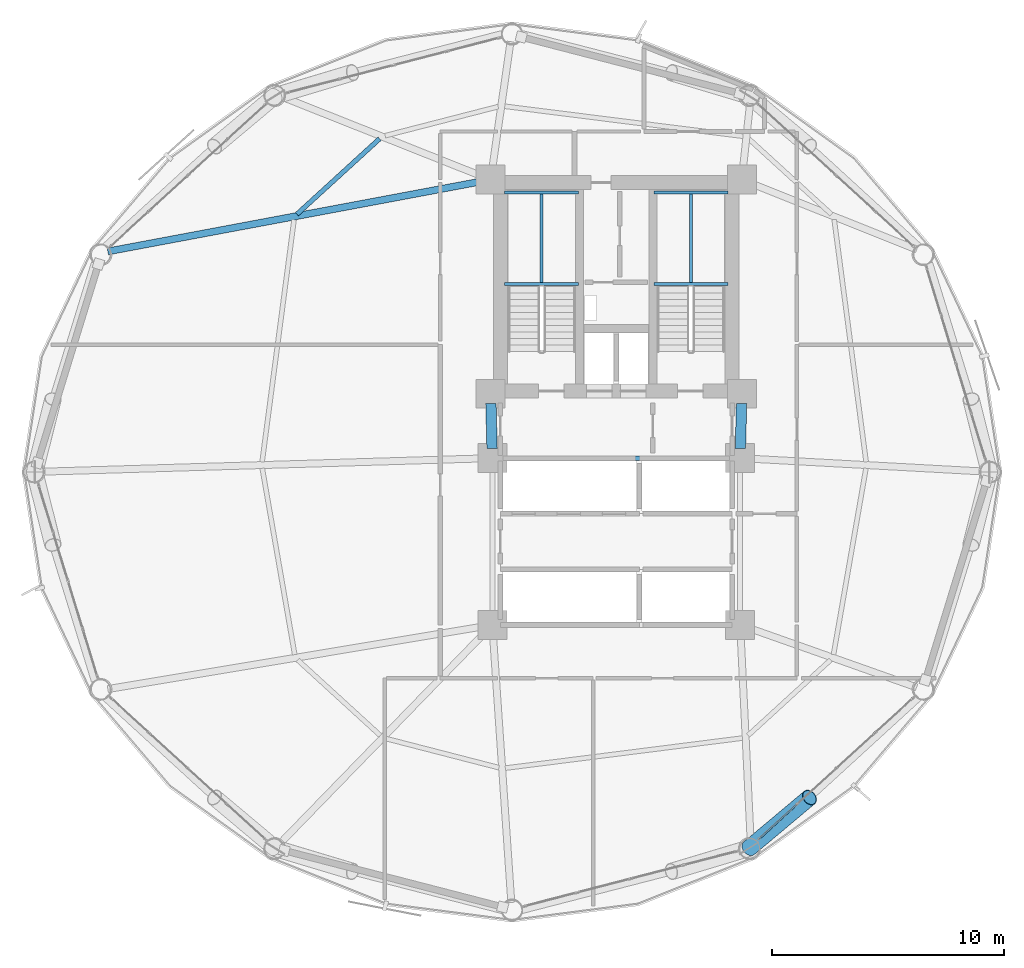
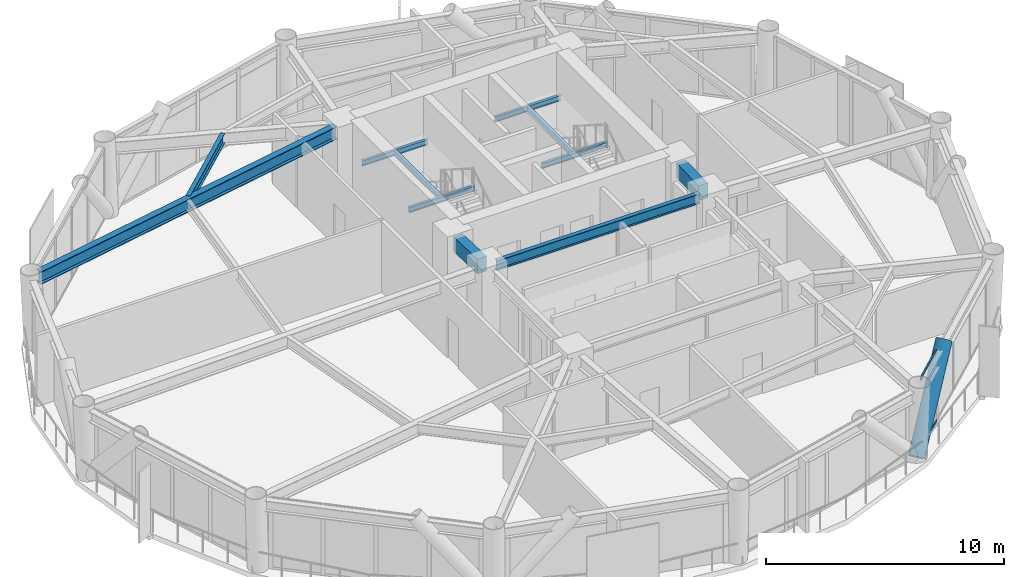
# One storey, part 13 of 25: 11 beams, 3 members, 1 element without a shape of its own.
"""IFC4 building model written with IfcOpenShell, lengths in metres."""

from ifc_helpers import new_model, si_unit, direction, frame, origin, origin_2d, place, context, subcontext, project, spatial, rectangle, hollow_rectangle, hollow_circle, i_section, extrude, material, layer, layer_set, material_profile, profile_set, type_object, element, aggregate, save


model = new_model("IFC4")

# Units and contexts
model_context = context("Model", 3, precision=1e-05, world=origin(), true_north=direction((0.0, 1.0)))
body_context = subcontext(model_context, "Body", "Model", "MODEL_VIEW")
ifc_project = project(units=[si_unit("LENGTHUNIT", "METRE"), si_unit("AREAUNIT", "SQUARE_METRE"), si_unit("VOLUMEUNIT", "CUBIC_METRE"), si_unit("PLANEANGLEUNIT", "RADIAN"), si_unit("MASSUNIT", "GRAM", prefix="KILO")], contexts=[model_context])

# Site, building, storey
site_placement = place(None, origin())
site = spatial("IfcSite", under=ifc_project, at=site_placement, CompositionType="ELEMENT")
building_placement = place(site_placement, origin())
building = spatial("IfcBuilding", under=site, at=building_placement, Name="Varnakorn Sky Granary", CompositionType="ELEMENT")
storey_placement = place(building_placement, frame((0.0, 0.0, 39.300048828125)))
storey = spatial("IfcBuildingStorey", under=building, at=storey_placement, Name="L09", CompositionType="ELEMENT", Elevation=39.300048828125)

# Beams
ifc_material_1 = material(Name="Concrete C60/75", Category="concrete")
ifc_material_profile_1 = material_profile(ifc_material_1, rectangle(XDim=0.449951171875, YDim=0.75, at=origin_2d()), Name="RC 450x750")
ifc_profile_set_1 = profile_set([ifc_material_profile_1], Name="Concrete C60/75")
beam_type_1 = type_object("IfcBeamType", Name="BM-LIN-750", PredefinedType="LINTEL", material=ifc_profile_set_1)
for number, where, z_axis, x_axis, name in (
    (1, (-2.409423828125, 2.960205078125, 3.264892578125), (0.025158763514, -0.999683468213, 0.0), (0.999683468213, 0.025158763514, 0.0), "Core Spine Framing Beam 1 L09"),
    (2, (8.409423828125, 2.960205078125, 3.264892578125), (-0.025158763514, -0.999683468213, 0.0), (0.999683468213, -0.025158763514, 0.0), "Core Spine Framing Beam 2 L09"),
):
    element("IfcBeam", number, at=place(storey_placement, frame(where, z_axis=z_axis, x_axis=x_axis)), inside=storey, type_object=beam_type_1, Name=name, PredefinedType="LINTEL", context=body_context, shape_type="SweptSolid", body=[
        extrude(rectangle(XDim=0.449951171875, YDim=0.75, at=origin_2d()), origin(), (0.0, 0.0, 1.0), 1.94091796875),
    ])
ifc_material_2 = material(Name="Steel S355JR", Category="steel")
ifc_material_profile_2 = material_profile(ifc_material_2, i_section(OverallWidth=0.135009765625, OverallDepth=0.27001953125, WebThickness=0.006591796875, FlangeThickness=0.01025390625, at=origin_2d()), Name="IPE 270")
ifc_profile_set_2 = profile_set([ifc_material_profile_2], Name="Steel S355JR")
beam_type_2 = type_object("IfcBeamType", Name="BM-LND-270", PredefinedType="BEAM", material=ifc_profile_set_2)
for number, where, z_axis, x_axis, name in (
    (3, (-1.820068359375, 8.1201171875, 1.614990234375), (1.0, 0.0, 0.0), (0.0, 1.0, 0.0), "Stair ST-1 Landing Trimmer Beam A L09-1"),
    (4, (-1.820068359375, 12.06005859375, 1.614990234375), (1.0, 0.0, 0.0), (0.0, 1.0, 0.0), "Stair ST-1 Landing Trimmer Beam B L09-1"),
):
    element("IfcBeam", number, at=place(storey_placement, frame(where, z_axis=z_axis, x_axis=x_axis)), inside=storey, type_object=beam_type_2, Name=name, PredefinedType="BEAM", context=body_context, shape_type="SweptSolid", body=[
        extrude(i_section(OverallWidth=0.135009765625, OverallDepth=0.27001953125, WebThickness=0.006591796875, FlangeThickness=0.01025390625, at=origin_2d()), origin(), (0.0, 0.0, 1.0), 3.199951171875),
    ])
beam_1_placement = place(storey_placement, frame((-0.219970703125, 8.1201171875, 1.614990234375), z_axis=(0.0, 1.0, 0.0), x_axis=(-1.0, 0.0, 0.0)))
element("IfcBeam", 5, at=beam_1_placement, inside=storey, type_object=beam_type_2, Name="Stair ST-1 Landing Cross Beam C L09-1", PredefinedType="BEAM", context=body_context, shape_type="SweptSolid", body=[
    extrude(i_section(OverallWidth=0.135009765625, OverallDepth=0.27001953125, WebThickness=0.006591796875, FlangeThickness=0.01025390625, at=origin_2d()), origin(), (0.0, 0.0, 1.0), 3.93994140625),
])
for number, where, z_axis, x_axis, name in (
    (6, (4.6201171875, 8.1201171875, 1.614990234375), (1.0, 0.0, 0.0), (0.0, 1.0, 0.0), "Stair ST-2 Landing Trimmer Beam A L09-1"),
    (7, (4.6201171875, 12.06005859375, 1.614990234375), (1.0, 0.0, 0.0), (0.0, 1.0, 0.0), "Stair ST-2 Landing Trimmer Beam B L09-1"),
):
    element("IfcBeam", number, at=place(storey_placement, frame(where, z_axis=z_axis, x_axis=x_axis)), inside=storey, type_object=beam_type_2, Name=name, PredefinedType="BEAM", context=body_context, shape_type="SweptSolid", body=[
        extrude(i_section(OverallWidth=0.135009765625, OverallDepth=0.27001953125, WebThickness=0.006591796875, FlangeThickness=0.01025390625, at=origin_2d()), origin(), (0.0, 0.0, 1.0), 3.199951171875),
    ])
beam_2_placement = place(storey_placement, frame((6.219970703125, 8.1201171875, 1.614990234375), z_axis=(0.0, 1.0, 0.0), x_axis=(-1.0, 0.0, 0.0)))
element("IfcBeam", 8, at=beam_2_placement, inside=storey, type_object=beam_type_2, Name="Stair ST-2 Landing Cross Beam C L09-1", PredefinedType="BEAM", context=body_context, shape_type="SweptSolid", body=[
    extrude(i_section(OverallWidth=0.135009765625, OverallDepth=0.27001953125, WebThickness=0.006591796875, FlangeThickness=0.01025390625, at=origin_2d()), origin(), (0.0, 0.0, 1.0), 3.93994140625),
])
ifc_material_profile_3 = material_profile(ifc_material_2, i_section(OverallWidth=0.300048828125, OverallDepth=0.64990234375, WebThickness=0.01611328125, FlangeThickness=0.031005859375, at=origin_2d()), Name="HE 650 B")
ifc_profile_set_3 = profile_set([ifc_material_profile_3], Name="Steel S355JR")
beam_type_3 = type_object("IfcBeamType", Name="BM-RAD-Z1", PredefinedType="BEAM", material=ifc_profile_set_3)
beam_3_placement = place(storey_placement, frame((-2.832763671875, 12.54248046875, 3.31494140625), z_axis=(-0.982896960837, -0.184156358505, 0.0), x_axis=(0.184156358505, -0.982896960837, 0.0)))
element("IfcBeam", 9, at=beam_3_placement, inside=storey, type_object=beam_type_3, Name="Radial Floor Girder RG06 L09", PredefinedType="BEAM", context=body_context, shape_type="SweptSolid", body=[
    extrude(i_section(OverallWidth=0.300048828125, OverallDepth=0.64990234375, WebThickness=0.01611328125, FlangeThickness=0.031005859375, at=origin_2d()), origin(), (0.0, 0.0, 1.0), 16.393798828125),
])
ifc_material_profile_4 = material_profile(ifc_material_2, i_section(OverallWidth=0.199951171875, OverallDepth=0.5, WebThickness=0.01025390625, FlangeThickness=0.01611328125, at=origin_2d()), Name="IPE 500")
ifc_profile_set_4 = profile_set([ifc_material_profile_4], Name="Steel S355JR")
beam_type_4 = type_object("IfcBeamType", Name="BM-SEC-Z1", PredefinedType="BEAM", material=ifc_profile_set_4)
beam_4_placement = place(storey_placement, frame((-7.21484375, 14.388427734375, 3.389892578125), z_axis=(-0.738460356173, -0.674296894818, 0.0), x_axis=(0.674296894818, -0.738460356173, 0.0)))
element("IfcBeam", 10, at=beam_4_placement, inside=storey, type_object=beam_type_4, Name="Secondary Floor Chord Beam MSB05 L09", PredefinedType="BEAM", context=body_context, shape_type="SweptSolid", body=[
    extrude(i_section(OverallWidth=0.199951171875, OverallDepth=0.5, WebThickness=0.01025390625, FlangeThickness=0.01611328125, at=origin_2d()), origin(), (0.0, 0.0, 1.0), 4.836181640625),
])
beam_5_placement = place(storey_placement, frame((-1.929931640625, 0.60009765625, 3.389892578125), z_axis=(1.0, 0.0, 0.0), x_axis=(0.0, 1.0, 0.0)))
element("IfcBeam", 11, at=beam_5_placement, inside=storey, type_object=beam_type_4, Name="Core Spine Framing Beam 5 L09", PredefinedType="BEAM", context=body_context, shape_type="SweptSolid", body=[
    extrude(i_section(OverallWidth=0.199951171875, OverallDepth=0.5, WebThickness=0.01025390625, FlangeThickness=0.01611328125, at=origin_2d()), origin(), (0.0, 0.0, 1.0), 9.85986328125),
])

# Curtain wall, members
ifc_material_3 = material(Name="Anodised Bronze Aluminium Alloy 6063-T6", Category="aluminium")
ifc_layer = layer(ifc_material_3, 0.18994140625, Name="Anodised Bronze Aluminium Alloy 6063-T6")
ifc_layer_set = layer_set([ifc_layer], Name="Anodised Bronze Aluminium Alloy 6063-T6")
curtain_wall_type = type_object("IfcCurtainWallType", Name="CW-FRM-1", PredefinedType="USERDEFINED", material=ifc_layer_set)
curtain_wall_placement = place(storey_placement, origin())
curtain_wall = element("IfcCurtainWall", 12, at=curtain_wall_placement, inside=storey, type_object=curtain_wall_type, Name="Unitised Curtain Wall CW3 CW-L09-B11", ObjectType="CURTAIN WALL", PredefinedType="USERDEFINED")
ifc_material_profile_5 = material_profile(ifc_material_3, hollow_rectangle(XDim=0.070068359375, YDim=0.139892578125, WallThickness=0.00341796875, at=origin_2d()), Name="ALU TRAN 70x140")
ifc_profile_set_5 = profile_set([ifc_material_profile_5], Name="Anodised Bronze Aluminium Alloy 6063-T6")
member_type_1 = type_object("IfcMemberType", Name="CW-FRM-1-TRAN", PredefinedType="USERDEFINED", material=ifc_profile_set_5)
member_1_placement = place(storey_placement, frame((10.773681640625, -14.36962890625, 0.034912109375), z_axis=(-0.737438067317, -0.675414759146, 0.0), x_axis=(0.675414759146, -0.737438067317, 0.0)))
member_1 = element("IfcMember", 13, at=member_1_placement, type_object=member_type_1, Name="CW3 transom 4.1", ObjectType="TRANSOM", PredefinedType="USERDEFINED", context=body_context, shape_type="SweptSolid", body=[
    extrude(hollow_rectangle(XDim=0.070068359375, YDim=0.139892578125, WallThickness=0.00341796875, at=origin_2d()), origin(), (0.0, 0.0, 1.0), 2.1767578125),
])
member_2_placement = place(storey_placement, frame((10.773681640625, -14.36962890625, 3.60498046875), z_axis=(-0.737438067317, -0.675414759146, 0.0), x_axis=(0.675414759146, -0.737438067317, 0.0)))
member_2 = element("IfcMember", 14, at=member_2_placement, type_object=member_type_1, Name="CW3 transom 4.2", ObjectType="TRANSOM", PredefinedType="USERDEFINED", context=body_context, shape_type="SweptSolid", body=[
    extrude(hollow_rectangle(XDim=0.070068359375, YDim=0.139892578125, WallThickness=0.00341796875, at=origin_2d()), origin(), (0.0, 0.0, 1.0), 2.1767578125),
])
aggregate(curtain_wall, [member_1, member_2])

# Member
ifc_material_4 = material(Name="Steel S460M", Category="steel")
ifc_material_profile_6 = material_profile(ifc_material_4, hollow_circle(Radius=0.35546875, WallThickness=0.02490234375, at=origin_2d()), Name="CHS 711x25")
ifc_profile_set_6 = profile_set([ifc_material_profile_6], Name="Steel S460M")
member_type_2 = type_object("IfcMemberType", Name="MB-DIAG-T0", PredefinedType="BRACE", material=ifc_profile_set_6)
member_3_placement = place(storey_placement, frame((8.735595703125, -16.236083984375, 0.0), z_axis=(0.511860095256, 0.429218514041, 0.744157718558), x_axis=(-0.642538877105, 0.766253085742, 0.0)))
element("IfcMember", 15, at=member_3_placement, inside=storey, type_object=member_type_2, Name="Perimeter CHS Diagrid Brace DG11 L09", PredefinedType="BRACE", context=body_context, shape_type="SweptSolid", body=[
    extrude(hollow_circle(Radius=0.35546875, WallThickness=0.02490234375, at=origin_2d()), origin(), (0.0, 0.0, 1.0), 5.093017578125),
])

save(model, "model.ifc")
